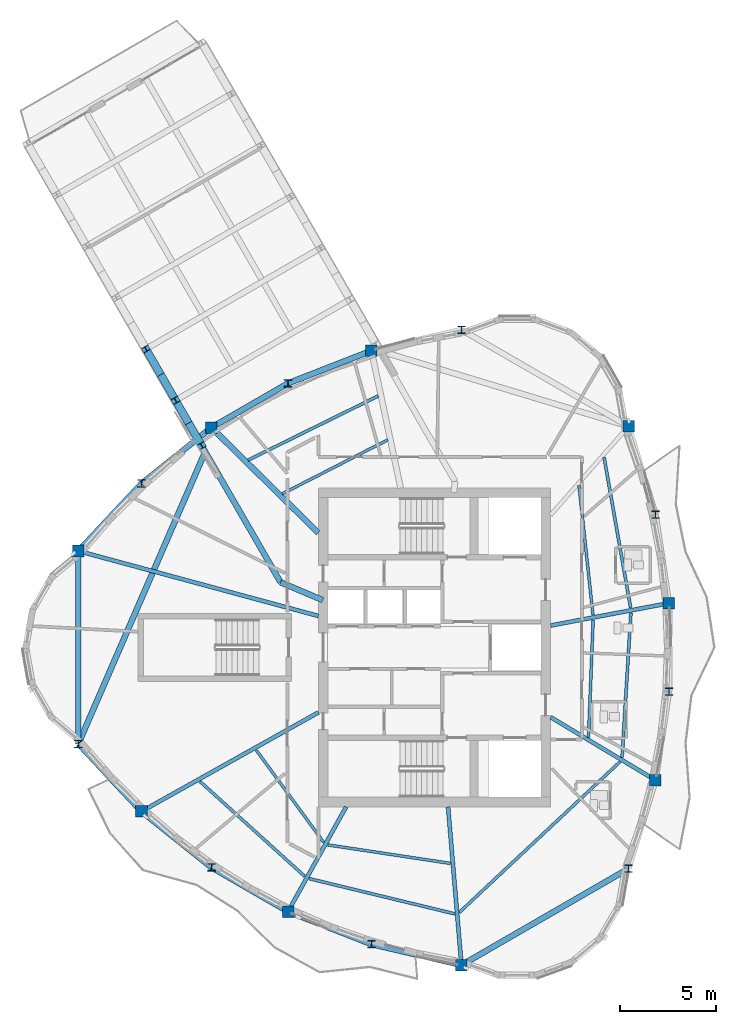
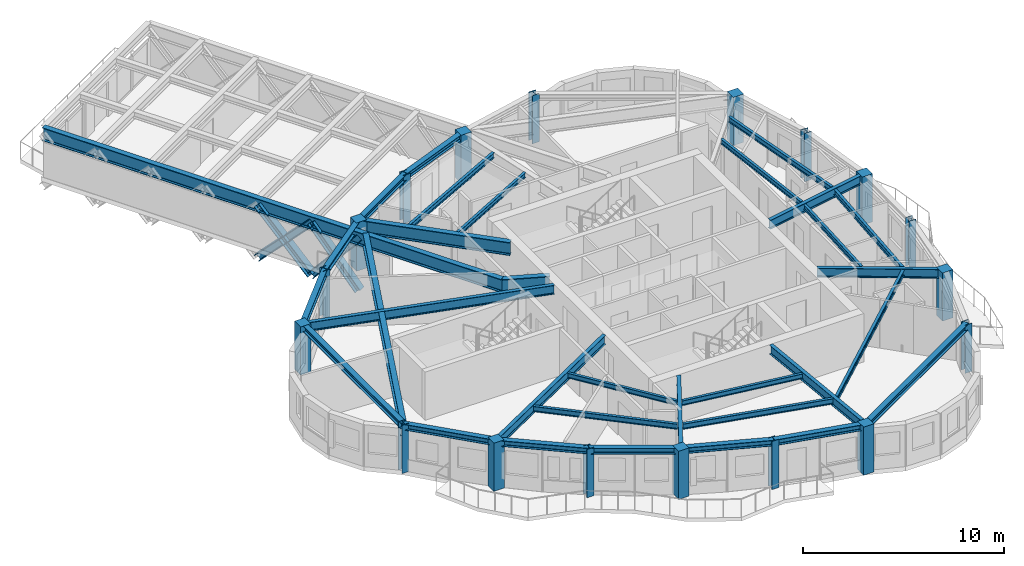
# One storey, part 1 of 14: 32 beams, 18 columns, 4 members.
"""IFC4 building model written with IfcOpenShell, lengths in metres."""

from ifc_helpers import new_model, si_unit, direction, frame, origin, origin_2d, place, context, subcontext, project, spatial, rectangle, i_section, extrude, source, transform, mapped, material, material_profile, profile_set, type_object, element, save


model = new_model("IFC4")

# Units and contexts
model_context = context("Model", 3, precision=1e-05, world=origin(), true_north=direction((0.0, 1.0)))
body_context = subcontext(model_context, "Body", "Model", "MODEL_VIEW")
ifc_project = project(units=[si_unit("LENGTHUNIT", "METRE"), si_unit("AREAUNIT", "SQUARE_METRE"), si_unit("VOLUMEUNIT", "CUBIC_METRE"), si_unit("PLANEANGLEUNIT", "RADIAN"), si_unit("MASSUNIT", "GRAM", prefix="KILO")], contexts=[model_context])

# Site, building, storey
site_placement = place(None, origin())
site = spatial("IfcSite", under=ifc_project, at=site_placement, CompositionType="ELEMENT")
building_placement = place(site_placement, origin())
building = spatial("IfcBuilding", under=site, at=building_placement, Name="Qafzar Sky-Pleat Residences", CompositionType="ELEMENT")
storey_placement = place(building_placement, frame((0.0, 0.0, 208.39990234375)))
storey = spatial("IfcBuildingStorey", under=building, at=storey_placement, Name="L62", CompositionType="ELEMENT", Elevation=208.39990234375)

# Columns
ifc_material_1 = material(Name="Concrete C50/60", Category="concrete")
ifc_material_profile_1 = material_profile(ifc_material_1, rectangle(XDim=0.60009765625, YDim=0.60009765625, at=origin_2d()), Name="RC 600x600")
ifc_profile_set_1 = profile_set([ifc_material_profile_1], Name="Concrete C50/60")
column_type_1 = type_object("IfcColumnType", Name="COL-RC-600", PredefinedType="COLUMN", material=ifc_profile_set_1)
shared_shape_1 = source(origin(), body_context, "Body", "SweptSolid", [
    extrude(rectangle(XDim=0.60009765625, YDim=0.60009765625, at=origin_2d()), origin(), (0.0, 0.0, 1.0), 2.93505859375),
])
for number, where, z_axis, x_axis, name in (
    (1, (11.794921875, 31.02294921875, 0.0), (0.0, 0.0, 1.0), (1.0, 0.0, 0.0), "L62 Perimeter Mega Column 1"),
    (2, (15.0859375, 17.458984375, 0.0), (0.0, 0.0, 1.0), (1.0, 0.0, 0.0), "L62 Perimeter Mega Column 3"),
    (3, (22.71875, 12.243408203125, 0.0), (0.0, 0.0, 1.0), (1.0, 0.0, 0.0), "L62 Perimeter Mega Column 5"),
    (4, (31.75244140625, 9.45458984375, 0.0), (0.0, 0.0, 1.0), (1.0, 0.0, 0.0), "L62 Perimeter Mega Column 7"),
    (5, (41.853515625, 19.08642578125, 0.0), (0.0, 0.0, 1.0), (1.0, 0.0, 0.0), "L62 Perimeter Mega Column 9"),
    (6, (42.55419921875, 28.304443359375, 0.0), (0.0, 0.0, 1.0), (1.0, 0.0, 0.0), "L62 Perimeter Mega Column 11"),
    (7, (40.452392578125, 37.5224609375, 0.0), (0.0, 0.0, 1.0), (1.0, 0.0, 0.0), "L62 Perimeter Mega Column 13"),
    (8, (27.060302734375, 41.454345703125, 0.0), (0.0, 0.0, 1.0), (1.0, 0.0, 0.0), "L62 Perimeter Mega Column 15"),
    (9, (18.727294921875, 37.4521484375, 0.0), (0.0, 0.0, 1.0), (1.0, 0.0, 0.0), "L62 Perimeter Mega Column 17"),
):
    element("IfcColumn", number, at=place(storey_placement, frame(where, z_axis=z_axis, x_axis=x_axis)), inside=storey, type_object=column_type_1, Name=name, PredefinedType="COLUMN", context=body_context, shape_type="MappedRepresentation", body=[
        mapped(shared_shape_1, transform((0.0, 0.0, 0.0), x_axis=(1.0, 0.0, 0.0), y_axis=(0.0, 1.0, 0.0), z_axis=(0.0, 0.0, 1.0), scale=1.0)),
    ])
ifc_material_2 = material(Name="Steel S355", Category="steel")
ifc_material_profile_2 = material_profile(ifc_material_2, i_section(OverallWidth=0.39794921875, OverallDepth=0.386962890625, WebThickness=0.01904296875, FlangeThickness=0.030029296875, FilletRadius=0.014892578125, at=origin_2d()), Name="HD 400x262")
ifc_profile_set_2 = profile_set([ifc_material_profile_2], Name="Steel S355")
column_type_2 = type_object("IfcColumnType", Name="COL-STL-HD262", PredefinedType="PILASTER", material=ifc_profile_set_2)
shared_shape_2 = source(origin(), body_context, "Body", "SweptSolid", [
    extrude(i_section(OverallWidth=0.39794921875, OverallDepth=0.386962890625, WebThickness=0.01904296875, FlangeThickness=0.030029296875, FilletRadius=0.014892578125, at=origin_2d()), origin(), (0.0, 0.0, 1.0), 2.93505859375),
])
for number, where, z_axis, x_axis, name in (
    (10, (11.794921875, 20.97705078125, 0.0), (0.0, 0.0, 1.0), (1.0, 0.0, 0.0), "L62 Perimeter Mega Column 2"),
    (11, (18.727294921875, 14.5478515625, 0.0), (0.0, 0.0, 1.0), (1.0, 0.0, 0.0), "L62 Perimeter Mega Column 4"),
    (12, (27.060302734375, 10.545654296875, 0.0), (0.0, 0.0, 1.0), (1.0, 0.0, 0.0), "L62 Perimeter Mega Column 6"),
    (13, (40.452392578125, 14.4775390625, 0.0), (0.0, 0.0, 1.0), (1.0, 0.0, 0.0), "L62 Perimeter Mega Column 8"),
    (14, (42.55419921875, 23.695556640625, 0.0), (0.0, 0.0, 1.0), (1.0, 0.0, 0.0), "L62 Perimeter Mega Column 10"),
    (15, (41.853515625, 32.91357421875, 0.0), (0.0, 0.0, 1.0), (1.0, 0.0, 0.0), "L62 Perimeter Mega Column 12"),
    (16, (31.75244140625, 42.54541015625, 0.0), (0.0, 0.0, 1.0), (1.0, 0.0, 0.0), "L62 Perimeter Mega Column 14"),
    (17, (22.71875, 39.756591796875, 0.0), (0.0, 0.0, 1.0), (1.0, 0.0, 0.0), "L62 Perimeter Mega Column 16"),
    (18, (15.0859375, 34.541015625, 0.0), (0.0, 0.0, 1.0), (1.0, 0.0, 0.0), "L62 Perimeter Mega Column 18"),
):
    element("IfcColumn", number, at=place(storey_placement, frame(where, z_axis=z_axis, x_axis=x_axis)), inside=storey, type_object=column_type_2, Name=name, PredefinedType="PILASTER", context=body_context, shape_type="MappedRepresentation", body=[
        mapped(shared_shape_2, transform((0.0, 0.0, 0.0), x_axis=(1.0, 0.0, 0.0), y_axis=(0.0, 1.0, 0.0), z_axis=(0.0, 0.0, 1.0), scale=1.0)),
    ])

# Beams
ifc_material_profile_3 = material_profile(ifc_material_2, i_section(OverallWidth=0.300048828125, OverallDepth=0.360107421875, WebThickness=0.012451171875, FlangeThickness=0.0224609375, FilletRadius=0.027099609375, at=origin_2d()), Name="HEB 360")
ifc_profile_set_3 = profile_set([ifc_material_profile_3], Name="Steel S355")
beam_type_1 = type_object("IfcBeamType", Name="BM-SPAN-HEB360", PredefinedType="SPANDREL", material=ifc_profile_set_3)
shared_shape_3 = source(origin(), body_context, "Body", "SweptSolid", [
    extrude(i_section(OverallWidth=0.300048828125, OverallDepth=0.360107421875, WebThickness=0.012451171875, FlangeThickness=0.0224609375, FilletRadius=0.027099609375, at=origin_2d()), origin(), (0.0, 0.0, 1.0), 10.0458984375),
])
for number, where, z_axis, x_axis, name in (
    (19, (11.794921875, 31.02294921875, 2.753173828125), (0.0, -1.0, 0.0), (1.0, 0.0, 0.0), "L62 Perimeter Spandrel Beam 1"),
    (20, (31.75244140625, 9.45458984375, 2.753173828125), (0.866024107753, 0.500002244785, 0.0), (-0.500002244785, 0.866024107753, 0.0), "L62 Perimeter Spandrel Beam 7"),
):
    element("IfcBeam", number, at=place(storey_placement, frame(where, z_axis=z_axis, x_axis=x_axis)), inside=storey, type_object=beam_type_1, Name=name, PredefinedType="SPANDREL", context=body_context, shape_type="MappedRepresentation", body=[
        mapped(shared_shape_3, transform((0.0, 0.0, 0.0), x_axis=(1.0, 0.0, 0.0), y_axis=(0.0, 1.0, 0.0), z_axis=(0.0, 0.0, 1.0), scale=1.0)),
    ])
shared_shape_4 = source(origin(), body_context, "Body", "SweptSolid", [
    extrude(i_section(OverallWidth=0.300048828125, OverallDepth=0.360107421875, WebThickness=0.012451171875, FlangeThickness=0.0224609375, FilletRadius=0.027099609375, at=origin_2d()), origin(), (0.0, 0.0, 1.0), 4.8173828125),
])
for number, where, z_axis, x_axis, name in (
    (21, (11.794921875, 20.97705078125, 2.753173828125), (0.683148410422, -0.730279569301, 0.0), (0.730279569301, 0.683148410422, 0.0), "L62 Perimeter Spandrel Beam 2"),
    (22, (27.060302734375, 10.545654296875, 2.753173828125), (0.974014007378, -0.226487777666, 0.0), (0.226487777666, 0.974014007378, 0.0), "L62 Perimeter Spandrel Beam 6"),
    (23, (15.0859375, 34.541015625, 2.753173828125), (-0.683148410422, -0.730279569301, 0.0), (0.730279569301, -0.683148410422, 0.0), "L62 Perimeter Spandrel Beam 18"),
):
    element("IfcBeam", number, at=place(storey_placement, frame(where, z_axis=z_axis, x_axis=x_axis)), inside=storey, type_object=beam_type_1, Name=name, PredefinedType="SPANDREL", context=body_context, shape_type="MappedRepresentation", body=[
        mapped(shared_shape_4, transform((0.0, 0.0, 0.0), x_axis=(1.0, 0.0, 0.0), y_axis=(0.0, 1.0, 0.0), z_axis=(0.0, 0.0, 1.0), scale=1.0)),
    ])
shared_shape_5 = source(origin(), body_context, "Body", "SweptSolid", [
    extrude(i_section(OverallWidth=0.300048828125, OverallDepth=0.360107421875, WebThickness=0.012451171875, FlangeThickness=0.0224609375, FilletRadius=0.027099609375, at=origin_2d()), origin(), (0.0, 0.0, 1.0), 4.662109375),
])
for number, where, z_axis, x_axis, name in (
    (24, (15.0859375, 17.458984375, 2.753173828125), (0.781073131739, -0.624439559025, 0.0), (0.624439559025, 0.781073131739, 0.0), "L62 Perimeter Spandrel Beam 3"),
    (25, (18.727294921875, 37.4521484375, 2.753173828125), (-0.781073131739, -0.624439559025, 0.0), (0.624439559025, -0.781073131739, 0.0), "L62 Perimeter Spandrel Beam 17"),
):
    element("IfcBeam", number, at=place(storey_placement, frame(where, z_axis=z_axis, x_axis=x_axis)), inside=storey, type_object=beam_type_1, Name=name, PredefinedType="SPANDREL", context=body_context, shape_type="MappedRepresentation", body=[
        mapped(shared_shape_5, transform((0.0, 0.0, 0.0), x_axis=(1.0, 0.0, 0.0), y_axis=(0.0, 1.0, 0.0), z_axis=(0.0, 0.0, 1.0), scale=1.0)),
    ])
shared_shape_6 = source(origin(), body_context, "Body", "SweptSolid", [
    extrude(i_section(OverallWidth=0.300048828125, OverallDepth=0.360107421875, WebThickness=0.012451171875, FlangeThickness=0.0224609375, FilletRadius=0.027099609375, at=origin_2d()), origin(), (0.0, 0.0, 1.0), 4.60888671875),
])
for number, where, z_axis, x_axis, name in (
    (26, (18.727294921875, 14.5478515625, 2.753173828125), (0.8660276872, -0.499996044987, 0.0), (0.499996044987, 0.8660276872, 0.0), "L62 Perimeter Spandrel Beam 4"),
    (27, (22.71875, 39.756591796875, 2.753173828125), (-0.8660276872, -0.499996044987, 0.0), (0.499996044987, -0.8660276872, 0.0), "L62 Perimeter Spandrel Beam 16"),
):
    element("IfcBeam", number, at=place(storey_placement, frame(where, z_axis=z_axis, x_axis=x_axis)), inside=storey, type_object=beam_type_1, Name=name, PredefinedType="SPANDREL", context=body_context, shape_type="MappedRepresentation", body=[
        mapped(shared_shape_6, transform((0.0, 0.0, 0.0), x_axis=(1.0, 0.0, 0.0), y_axis=(0.0, 1.0, 0.0), z_axis=(0.0, 0.0, 1.0), scale=1.0)),
    ])
shared_shape_7 = source(origin(), body_context, "Body", "SweptSolid", [
    extrude(i_section(OverallWidth=0.300048828125, OverallDepth=0.360107421875, WebThickness=0.012451171875, FlangeThickness=0.0224609375, FilletRadius=0.027099609375, at=origin_2d()), origin(), (0.0, 0.0, 1.0), 4.66162109375),
])
for number, where, z_axis, x_axis, name in (
    (28, (22.71875, 12.243408203125, 2.753173828125), (0.931323889652, -0.364191999586, 0.0), (0.364191999586, 0.931323889652, 0.0), "L62 Perimeter Spandrel Beam 5"),
    (29, (27.060302734375, 41.454345703125, 2.753173828125), (-0.931323889652, -0.364191999586, 0.0), (0.364191999586, -0.931323889652, 0.0), "L62 Perimeter Spandrel Beam 15"),
):
    element("IfcBeam", number, at=place(storey_placement, frame(where, z_axis=z_axis, x_axis=x_axis)), inside=storey, type_object=beam_type_1, Name=name, PredefinedType="SPANDREL", context=body_context, shape_type="MappedRepresentation", body=[
        mapped(shared_shape_7, transform((0.0, 0.0, 0.0), x_axis=(1.0, 0.0, 0.0), y_axis=(0.0, 1.0, 0.0), z_axis=(0.0, 0.0, 1.0), scale=1.0)),
    ])
ifc_material_profile_4 = material_profile(ifc_material_2, i_section(OverallWidth=0.2099609375, OverallDepth=0.550048828125, WebThickness=0.010986328125, FlangeThickness=0.01708984375, FilletRadius=0.02392578125, at=origin_2d()), Name="IPE 550")
ifc_profile_set_4 = profile_set([ifc_material_profile_4], Name="Steel S355")
beam_type_2 = type_object("IfcBeamType", Name="BM-SEC-IPE550", PredefinedType="BEAM", material=ifc_profile_set_4)
shared_shape_8 = source(origin(), body_context, "Body", "SweptSolid", [
    extrude(i_section(OverallWidth=0.2099609375, OverallDepth=0.550048828125, WebThickness=0.010986328125, FlangeThickness=0.01708984375, FilletRadius=0.02392578125, at=origin_2d()), origin(), (0.0, 0.0, 1.0), 12.955322265625),
])
beam_1_placement = place(storey_placement, frame((11.794921875, 31.02294921875, 2.658203125), z_axis=(0.96525657986, -0.261303913167, 0.0), x_axis=(0.261303913167, 0.96525657986, 0.0)))
element("IfcBeam", 30, at=beam_1_placement, inside=storey, type_object=beam_type_2, Name="L62 Radial Floor Girder 1", PredefinedType="BEAM", context=body_context, shape_type="MappedRepresentation", body=[
    mapped(shared_shape_8, transform((0.0, 0.0, 0.0), x_axis=(1.0, 0.0, 0.0), y_axis=(0.0, 1.0, 0.0), z_axis=(0.0, 0.0, 1.0), scale=1.0)),
])
shared_shape_9 = source(origin(), body_context, "Body", "SweptSolid", [
    extrude(i_section(OverallWidth=0.2099609375, OverallDepth=0.550048828125, WebThickness=0.010986328125, FlangeThickness=0.01708984375, FilletRadius=0.02392578125, at=origin_2d()), origin(), (0.0, 0.0, 1.0), 10.55859375),
])
beam_2_placement = place(storey_placement, frame((15.0859375, 17.458984375, 2.658203125), z_axis=(0.872673146655, 0.488304801438, 0.0), x_axis=(-0.488304801438, 0.872673146655, 0.0)))
element("IfcBeam", 31, at=beam_2_placement, inside=storey, type_object=beam_type_2, Name="L62 Radial Floor Girder 3", PredefinedType="BEAM", context=body_context, shape_type="MappedRepresentation", body=[
    mapped(shared_shape_9, transform((0.0, 0.0, 0.0), x_axis=(1.0, 0.0, 0.0), y_axis=(0.0, 1.0, 0.0), z_axis=(0.0, 0.0, 1.0), scale=1.0)),
])
shared_shape_10 = source(origin(), body_context, "Body", "SweptSolid", [
    extrude(i_section(OverallWidth=0.2099609375, OverallDepth=0.550048828125, WebThickness=0.010986328125, FlangeThickness=0.01708984375, FilletRadius=0.02392578125, at=origin_2d()), origin(), (0.0, 0.0, 1.0), 6.23974609375),
])
beam_3_placement = place(storey_placement, frame((22.71875, 12.243408203125, 2.658203125), z_axis=(0.48508473236, 0.874467153432, 0.0), x_axis=(-0.874467153432, 0.48508473236, 0.0)))
element("IfcBeam", 32, at=beam_3_placement, inside=storey, type_object=beam_type_2, Name="L62 Radial Floor Girder 5", PredefinedType="BEAM", context=body_context, shape_type="MappedRepresentation", body=[
    mapped(shared_shape_10, transform((0.0, 0.0, 0.0), x_axis=(1.0, 0.0, 0.0), y_axis=(0.0, 1.0, 0.0), z_axis=(0.0, 0.0, 1.0), scale=1.0)),
])
shared_shape_11 = source(origin(), body_context, "Body", "SweptSolid", [
    extrude(i_section(OverallWidth=0.2099609375, OverallDepth=0.550048828125, WebThickness=0.010986328125, FlangeThickness=0.01708984375, FilletRadius=0.02392578125, at=origin_2d()), origin(), (0.0, 0.0, 1.0), 8.27490234375),
])
beam_4_placement = place(storey_placement, frame((31.75244140625, 9.45458984375, 2.658203125), z_axis=(-0.084439601207, 0.996428599423, 0.0), x_axis=(-0.996428599423, -0.084439601207, 0.0)))
element("IfcBeam", 33, at=beam_4_placement, inside=storey, type_object=beam_type_2, Name="L62 Radial Floor Girder 7", PredefinedType="BEAM", context=body_context, shape_type="MappedRepresentation", body=[
    mapped(shared_shape_11, transform((0.0, 0.0, 0.0), x_axis=(1.0, 0.0, 0.0), y_axis=(0.0, 1.0, 0.0), z_axis=(0.0, 0.0, 1.0), scale=1.0)),
])
shared_shape_12 = source(origin(), body_context, "Body", "SweptSolid", [
    extrude(i_section(OverallWidth=0.2099609375, OverallDepth=0.550048828125, WebThickness=0.010986328125, FlangeThickness=0.01708984375, FilletRadius=0.02392578125, at=origin_2d()), origin(), (0.0, 0.0, 1.0), 6.36279296875),
])
beam_5_placement = place(storey_placement, frame((41.853515625, 19.08642578125, 2.658203125), z_axis=(-0.857116893235, 0.515121957726, 0.0), x_axis=(-0.515121957726, -0.857116893235, 0.0)))
element("IfcBeam", 34, at=beam_5_placement, inside=storey, type_object=beam_type_2, Name="L62 Radial Floor Girder 9", PredefinedType="BEAM", context=body_context, shape_type="MappedRepresentation", body=[
    mapped(shared_shape_12, transform((0.0, 0.0, 0.0), x_axis=(1.0, 0.0, 0.0), y_axis=(0.0, 1.0, 0.0), z_axis=(0.0, 0.0, 1.0), scale=1.0)),
])
shared_shape_13 = source(origin(), body_context, "Body", "SweptSolid", [
    extrude(i_section(OverallWidth=0.2099609375, OverallDepth=0.550048828125, WebThickness=0.010986328125, FlangeThickness=0.01708984375, FilletRadius=0.02392578125, at=origin_2d()), origin(), (0.0, 0.0, 1.0), 6.262939453125),
])
beam_6_placement = place(storey_placement, frame((42.55419921875, 28.304443359375, 2.658203125), z_axis=(-0.982634843159, -0.185549898978, 0.0), x_axis=(0.185549898978, -0.982634843159, 0.0)))
element("IfcBeam", 35, at=beam_6_placement, inside=storey, type_object=beam_type_2, Name="L62 Radial Floor Girder 11", PredefinedType="BEAM", context=body_context, shape_type="MappedRepresentation", body=[
    mapped(shared_shape_13, transform((0.0, 0.0, 0.0), x_axis=(1.0, 0.0, 0.0), y_axis=(0.0, 1.0, 0.0), z_axis=(0.0, 0.0, 1.0), scale=1.0)),
])
ifc_material_3 = material(Name="Steel S460", Category="steel")
ifc_material_profile_5 = material_profile(ifc_material_3, i_section(OverallWidth=0.300048828125, OverallDepth=0.800048828125, WebThickness=0.017578125, FlangeThickness=0.032958984375, FilletRadius=0.030029296875, at=origin_2d()), Name="HEB 800")
ifc_profile_set_5 = profile_set([ifc_material_profile_5], Name="Steel S460")
beam_type_3 = type_object("IfcBeamType", Name="BM-CHORD-HEB800", PredefinedType="BEAM", material=ifc_profile_set_5)
shared_shape_14 = source(origin(), body_context, "Body", "SweptSolid", [
    extrude(i_section(OverallWidth=0.300048828125, OverallDepth=0.800048828125, WebThickness=0.017578125, FlangeThickness=0.032958984375, FilletRadius=0.030029296875, at=origin_2d()), origin(), (0.0, 0.0, 1.0), 7.823486328125),
])
beam_7_placement = place(storey_placement, frame((18.727294921875, 37.4521484375, 2.533203125), z_axis=(0.71231451295, -0.701860409654, 0.0), x_axis=(0.701860409654, 0.71231451295, 0.0)))
element("IfcBeam", 36, at=beam_7_placement, inside=storey, type_object=beam_type_3, Name="L62 Radial Floor Girder 17", PredefinedType="BEAM", context=body_context, shape_type="MappedRepresentation", body=[
    mapped(shared_shape_14, transform((0.0, 0.0, 0.0), x_axis=(1.0, 0.0, 0.0), y_axis=(0.0, 1.0, 0.0), z_axis=(0.0, 0.0, 1.0), scale=1.0)),
])
ifc_material_profile_6 = material_profile(ifc_material_2, i_section(OverallWidth=0.159912109375, OverallDepth=0.330078125, WebThickness=0.007568359375, FlangeThickness=0.011474609375, FilletRadius=0.01806640625, at=origin_2d()), Name="IPE 330")
ifc_profile_set_6 = profile_set([ifc_material_profile_6], Name="Steel S355")
beam_type_4 = type_object("IfcBeamType", Name="BM-JST-IPE330", PredefinedType="JOIST", material=ifc_profile_set_6)
shared_shape_15 = source(origin(), body_context, "Body", "SweptSolid", [
    extrude(i_section(OverallWidth=0.159912109375, OverallDepth=0.330078125, WebThickness=0.007568359375, FlangeThickness=0.011474609375, FilletRadius=0.01806640625, at=origin_2d()), origin(), (0.0, 0.0, 1.0), 7.356689453125),
])
beam_8_placement = place(storey_placement, frame((18.134521484375, 19.018310546875, 2.76806640625), z_axis=(0.741219639236, -0.671262576352, 0.0), x_axis=(0.671262576352, 0.741219639236, 0.0)))
element("IfcBeam", 37, at=beam_8_placement, inside=storey, type_object=beam_type_4, Name="L62 Outer Secondary Floor Joist 2", PredefinedType="JOIST", context=body_context, shape_type="MappedRepresentation", body=[
    mapped(shared_shape_15, transform((0.0, 0.0, 0.0), x_axis=(1.0, 0.0, 0.0), y_axis=(0.0, 1.0, 0.0), z_axis=(0.0, 0.0, 1.0), scale=1.0)),
])
shared_shape_16 = source(origin(), body_context, "Body", "SweptSolid", [
    extrude(i_section(OverallWidth=0.159912109375, OverallDepth=0.330078125, WebThickness=0.007568359375, FlangeThickness=0.011474609375, FilletRadius=0.01806640625, at=origin_2d()), origin(), (0.0, 0.0, 1.0), 7.797607421875),
])
beam_9_placement = place(storey_placement, frame((23.818603515625, 13.957763671875, 2.76806640625), z_axis=(0.971984853244, -0.235043496112, 0.0), x_axis=(0.235043496112, 0.971984853244, 0.0)))
element("IfcBeam", 38, at=beam_9_placement, inside=storey, type_object=beam_type_4, Name="L62 Outer Secondary Floor Joist 3", PredefinedType="JOIST", context=body_context, shape_type="MappedRepresentation", body=[
    mapped(shared_shape_16, transform((0.0, 0.0, 0.0), x_axis=(1.0, 0.0, 0.0), y_axis=(0.0, 1.0, 0.0), z_axis=(0.0, 0.0, 1.0), scale=1.0)),
])
shared_shape_17 = source(origin(), body_context, "Body", "SweptSolid", [
    extrude(i_section(OverallWidth=0.159912109375, OverallDepth=0.330078125, WebThickness=0.007568359375, FlangeThickness=0.011474609375, FilletRadius=0.01806640625, at=origin_2d()), origin(), (0.0, 0.0, 1.0), 11.489501953125),
])
beam_10_placement = place(storey_placement, frame((31.627197265625, 12.185546875, 2.76806640625), z_axis=(0.729600815032, 0.683873270939, 0.0), x_axis=(-0.683873270939, 0.729600815032, 0.0)))
element("IfcBeam", 39, at=beam_10_placement, inside=storey, type_object=beam_type_4, Name="L62 Outer Secondary Floor Joist 4", PredefinedType="JOIST", context=body_context, shape_type="MappedRepresentation", body=[
    mapped(shared_shape_17, transform((0.0, 0.0, 0.0), x_axis=(1.0, 0.0, 0.0), y_axis=(0.0, 1.0, 0.0), z_axis=(0.0, 0.0, 1.0), scale=1.0)),
])
shared_shape_18 = source(origin(), body_context, "Body", "SweptSolid", [
    extrude(i_section(OverallWidth=0.159912109375, OverallDepth=0.330078125, WebThickness=0.007568359375, FlangeThickness=0.011474609375, FilletRadius=0.01806640625, at=origin_2d()), origin(), (0.0, 0.0, 1.0), 7.5419921875),
])
beam_11_placement = place(storey_placement, frame((40.11669921875, 20.27001953125, 2.76806640625), z_axis=(0.060987642663, 0.998138521169, 0.0), x_axis=(-0.998138521169, 0.060987642663, 0.0)))
element("IfcBeam", 40, at=beam_11_placement, inside=storey, type_object=beam_type_4, Name="L62 Outer Secondary Floor Joist 5", PredefinedType="JOIST", context=body_context, shape_type="MappedRepresentation", body=[
    mapped(shared_shape_18, transform((0.0, 0.0, 0.0), x_axis=(1.0, 0.0, 0.0), y_axis=(0.0, 1.0, 0.0), z_axis=(0.0, 0.0, 1.0), scale=1.0)),
])
shared_shape_19 = source(origin(), body_context, "Body", "SweptSolid", [
    extrude(i_section(OverallWidth=0.159912109375, OverallDepth=0.330078125, WebThickness=0.007568359375, FlangeThickness=0.011474609375, FilletRadius=0.01806640625, at=origin_2d()), origin(), (0.0, 0.0, 1.0), 7.965576171875),
])
beam_12_placement = place(storey_placement, frame((40.561279296875, 28.065673828125, 2.76806640625), z_axis=(-0.173507320817, 0.984832579489, 0.0), x_axis=(-0.984832579489, -0.173507320817, 0.0)))
element("IfcBeam", 41, at=beam_12_placement, inside=storey, type_object=beam_type_4, Name="L62 Outer Secondary Floor Joist 6", PredefinedType="JOIST", context=body_context, shape_type="MappedRepresentation", body=[
    mapped(shared_shape_19, transform((0.0, 0.0, 0.0), x_axis=(1.0, 0.0, 0.0), y_axis=(0.0, 1.0, 0.0), z_axis=(0.0, 0.0, 1.0), scale=1.0)),
])
shared_shape_20 = source(origin(), body_context, "Body", "SweptSolid", [
    extrude(i_section(OverallWidth=0.159912109375, OverallDepth=0.330078125, WebThickness=0.007568359375, FlangeThickness=0.011474609375, FilletRadius=0.01806640625, at=origin_2d()), origin(), (0.0, 0.0, 1.0), 7.576171875),
])
beam_13_placement = place(storey_placement, frame((27.426513671875, 39.105224609375, 2.76806640625), z_axis=(-0.896888380861, -0.442256975386, 0.0), x_axis=(0.442256975386, -0.896888380861, 0.0)))
element("IfcBeam", 42, at=beam_13_placement, inside=storey, type_object=beam_type_4, Name="L62 Outer Secondary Floor Joist 8", PredefinedType="JOIST", context=body_context, shape_type="MappedRepresentation", body=[
    mapped(shared_shape_20, transform((0.0, 0.0, 0.0), x_axis=(1.0, 0.0, 0.0), y_axis=(0.0, 1.0, 0.0), z_axis=(0.0, 0.0, 1.0), scale=1.0)),
])
ifc_material_profile_7 = material_profile(ifc_material_2, i_section(OverallWidth=0.14990234375, OverallDepth=0.300048828125, WebThickness=0.007080078125, FlangeThickness=0.0107421875, FilletRadius=0.014892578125, at=origin_2d()), Name="IPE 300")
ifc_profile_set_7 = profile_set([ifc_material_profile_7], Name="Steel S355")
beam_type_5 = type_object("IfcBeamType", Name="BM-JST-IPE300", PredefinedType="JOIST", material=ifc_profile_set_7)
shared_shape_21 = source(origin(), body_context, "Body", "SweptSolid", [
    extrude(i_section(OverallWidth=0.14990234375, OverallDepth=0.300048828125, WebThickness=0.007080078125, FlangeThickness=0.0107421875, FilletRadius=0.014892578125, at=origin_2d()), origin(), (0.0, 0.0, 1.0), 5.953125),
])
beam_14_placement = place(storey_placement, frame((21.0625, 20.64990234375, 2.783203125), z_axis=(0.590264364732, -0.807209997292, 0.0), x_axis=(0.807209997292, 0.590264364732, 0.0)))
element("IfcBeam", 43, at=beam_14_placement, inside=storey, type_object=beam_type_5, Name="L62 Inner Secondary Floor Joist 2", PredefinedType="JOIST", context=body_context, shape_type="MappedRepresentation", body=[
    mapped(shared_shape_21, transform((0.0, 0.0, 0.0), x_axis=(1.0, 0.0, 0.0), y_axis=(0.0, 1.0, 0.0), z_axis=(0.0, 0.0, 1.0), scale=1.0)),
])
shared_shape_22 = source(origin(), body_context, "Body", "SweptSolid", [
    extrude(i_section(OverallWidth=0.14990234375, OverallDepth=0.300048828125, WebThickness=0.007080078125, FlangeThickness=0.0107421875, FilletRadius=0.014892578125, at=origin_2d()), origin(), (0.0, 0.0, 1.0), 6.454345703125),
])
beam_15_placement = place(storey_placement, frame((24.78955078125, 15.715576171875, 2.783203125), z_axis=(0.988786865578, -0.149333634723, 0.0), x_axis=(0.149333634723, 0.988786865578, 0.0)))
element("IfcBeam", 44, at=beam_15_placement, inside=storey, type_object=beam_type_5, Name="L62 Inner Secondary Floor Joist 3", PredefinedType="JOIST", context=body_context, shape_type="MappedRepresentation", body=[
    mapped(shared_shape_22, transform((0.0, 0.0, 0.0), x_axis=(1.0, 0.0, 0.0), y_axis=(0.0, 1.0, 0.0), z_axis=(0.0, 0.0, 1.0), scale=1.0)),
])
shared_shape_23 = source(origin(), body_context, "Body", "SweptSolid", [
    extrude(i_section(OverallWidth=0.14990234375, OverallDepth=0.300048828125, WebThickness=0.007080078125, FlangeThickness=0.0107421875, FilletRadius=0.014892578125, at=origin_2d()), origin(), (0.0, 0.0, 1.0), 6.111572265625),
])
beam_16_placement = place(storey_placement, frame((38.36865234375, 21.319091796875, 2.783203125), z_axis=(0.039508568351, 0.999219231714, 0.0), x_axis=(-0.999219231714, 0.039508568351, 0.0)))
element("IfcBeam", 45, at=beam_16_placement, inside=storey, type_object=beam_type_5, Name="L62 Inner Secondary Floor Joist 5", PredefinedType="JOIST", context=body_context, shape_type="MappedRepresentation", body=[
    mapped(shared_shape_23, transform((0.0, 0.0, 0.0), x_axis=(1.0, 0.0, 0.0), y_axis=(0.0, 1.0, 0.0), z_axis=(0.0, 0.0, 1.0), scale=1.0)),
])
shared_shape_24 = source(origin(), body_context, "Body", "SweptSolid", [
    extrude(i_section(OverallWidth=0.14990234375, OverallDepth=0.300048828125, WebThickness=0.007080078125, FlangeThickness=0.0107421875, FilletRadius=0.014892578125, at=origin_2d()), origin(), (0.0, 0.0, 1.0), 6.7744140625),
])
beam_17_placement = place(storey_placement, frame((38.60107421875, 27.695068359375, 2.783203125), z_axis=(-0.107432741117, 0.994212354649, 0.0), x_axis=(-0.994212354649, -0.107432741117, 0.0)))
element("IfcBeam", 46, at=beam_17_placement, inside=storey, type_object=beam_type_5, Name="L62 Inner Secondary Floor Joist 6", PredefinedType="JOIST", context=body_context, shape_type="MappedRepresentation", body=[
    mapped(shared_shape_24, transform((0.0, 0.0, 0.0), x_axis=(1.0, 0.0, 0.0), y_axis=(0.0, 1.0, 0.0), z_axis=(0.0, 0.0, 1.0), scale=1.0)),
])
shared_shape_25 = source(origin(), body_context, "Body", "SweptSolid", [
    extrude(i_section(OverallWidth=0.14990234375, OverallDepth=0.300048828125, WebThickness=0.007080078125, FlangeThickness=0.0107421875, FilletRadius=0.014892578125, at=origin_2d()), origin(), (0.0, 0.0, 1.0), 6.178955078125),
])
beam_18_placement = place(storey_placement, frame((27.914794921875, 36.814208984375, 2.783203125), z_axis=(-0.890223943617, -0.455523139051, 0.0), x_axis=(0.455523139051, -0.890223943617, 0.0)))
element("IfcBeam", 47, at=beam_18_placement, inside=storey, type_object=beam_type_5, Name="L62 Inner Secondary Floor Joist 8", PredefinedType="JOIST", context=body_context, shape_type="MappedRepresentation", body=[
    mapped(shared_shape_25, transform((0.0, 0.0, 0.0), x_axis=(1.0, 0.0, 0.0), y_axis=(0.0, 1.0, 0.0), z_axis=(0.0, 0.0, 1.0), scale=1.0)),
])
shared_shape_26 = source(origin(), body_context, "Body", "SweptSolid", [
    extrude(i_section(OverallWidth=0.300048828125, OverallDepth=0.800048828125, WebThickness=0.017578125, FlangeThickness=0.032958984375, FilletRadius=0.030029296875, at=origin_2d()), origin(), (0.0, 0.0, 1.0), 2.385009765625),
])
beam_19_placement = place(storey_placement, frame((22.328369140625, 29.393798828125, 2.531005859375), z_axis=(0.920982791403, -0.389603257095, 0.0), x_axis=(0.389603257095, 0.920982791403, 0.0)))
element("IfcBeam", 48, at=beam_19_placement, inside=storey, type_object=beam_type_3, Name="L62 SB-5 Core Back-Span Tie Girder L", PredefinedType="BEAM", context=body_context, shape_type="MappedRepresentation", body=[
    mapped(shared_shape_26, transform((0.0, 0.0, 0.0), x_axis=(1.0, 0.0, 0.0), y_axis=(0.0, 1.0, 0.0), z_axis=(0.0, 0.0, 1.0), scale=1.0)),
])
shared_shape_27 = source(origin(), body_context, "Body", "SweptSolid", [
    extrude(i_section(OverallWidth=0.300048828125, OverallDepth=0.800048828125, WebThickness=0.017578125, FlangeThickness=0.032958984375, FilletRadius=0.030029296875, at=origin_2d()), origin(), (0.0, 0.0, 1.0), 26.399169921875),
])
beam_20_placement = place(storey_placement, frame((22.328369140625, 29.393798828125, 2.533203125), z_axis=(-0.49999730459, 0.866026959975, 0.0), x_axis=(-0.866026959975, -0.49999730459, 0.0)))
element("IfcBeam", 49, at=beam_20_placement, inside=storey, type_object=beam_type_3, Name="L62 SB-5 Truss Chord L1", PredefinedType="BEAM", context=body_context, shape_type="MappedRepresentation", body=[
    mapped(shared_shape_27, transform((0.0, 0.0, 0.0), x_axis=(1.0, 0.0, 0.0), y_axis=(0.0, 1.0, 0.0), z_axis=(0.0, 0.0, 1.0), scale=1.0)),
])

# Members
ifc_material_profile_8 = material_profile(ifc_material_3, i_section(OverallWidth=0.40087890625, OverallDepth=0.39892578125, WebThickness=0.02294921875, FlangeThickness=0.035888671875, FilletRadius=0.014892578125, at=origin_2d()), Name="HD 400x314")
ifc_profile_set_8 = profile_set([ifc_material_profile_8], Name="Steel S460")
member_type = type_object("IfcMemberType", Name="MEM-SB-DIAG", PredefinedType="BRACE", material=ifc_profile_set_8)
shared_shape_28 = source(origin(), body_context, "Body", "SweptSolid", [
    extrude(i_section(OverallWidth=0.40087890625, OverallDepth=0.39892578125, WebThickness=0.02294921875, FlangeThickness=0.035888671875, FilletRadius=0.014892578125, at=origin_2d()), origin(), (0.0, 0.0, 1.0), 4.207275390625),
])
for number, where, z_axis, x_axis, name in (
    (50, (18.223388671875, 36.50390625, -0.6669921875), (-0.324602692917, 0.562223005304, 0.760617107392), (-0.866023343127, -0.500003569146, 0.0), "L62 SB-5 Truss Web Diagonal L1A"),
    (51, (18.223388671875, 36.50390625, 2.533203125), (-0.324602692917, 0.562223005304, -0.760617107392), (-0.866023343127, -0.500003569146, 0.0), "L62 SB-5 Truss Web Diagonal L1B"),
):
    element("IfcMember", number, at=place(storey_placement, frame(where, z_axis=z_axis, x_axis=x_axis)), inside=storey, type_object=member_type, Name=name, PredefinedType="BRACE", context=body_context, shape_type="MappedRepresentation", body=[
        mapped(shared_shape_28, transform((0.0, 0.0, 0.0), x_axis=(1.0, 0.0, 0.0), y_axis=(0.0, 1.0, 0.0), z_axis=(0.0, 0.0, 1.0), scale=1.0)),
    ])

# Beam
shared_shape_29 = source(origin(), body_context, "Body", "SweptSolid", [
    extrude(i_section(OverallWidth=0.300048828125, OverallDepth=0.800048828125, WebThickness=0.017578125, FlangeThickness=0.032958984375, FilletRadius=0.030029296875, at=origin_2d()), origin(), (0.0, 0.0, 1.0), 16.588134765625),
])
beam_21_placement = place(storey_placement, frame((11.794921875, 20.97705078125, 2.533203125), z_axis=(0.398378427064, 0.917221145008, 0.0), x_axis=(-0.917221145008, 0.398378427064, 0.0)))
element("IfcBeam", 52, at=beam_21_placement, inside=storey, type_object=beam_type_3, Name="L62 SB-5 Wing-Belt Top Chord L", PredefinedType="BEAM", context=body_context, shape_type="MappedRepresentation", body=[
    mapped(shared_shape_29, transform((0.0, 0.0, 0.0), x_axis=(1.0, 0.0, 0.0), y_axis=(0.0, 1.0, 0.0), z_axis=(0.0, 0.0, 1.0), scale=1.0)),
])

# Members
shared_shape_30 = source(origin(), body_context, "Body", "SweptSolid", [
    extrude(i_section(OverallWidth=0.40087890625, OverallDepth=0.39892578125, WebThickness=0.02294921875, FlangeThickness=0.035888671875, FilletRadius=0.014892578125, at=origin_2d()), origin(), (0.0, 0.0, 1.0), 4.44970703125),
])
for number, where, z_axis, x_axis, name in (
    (53, (16.857666015625, 38.869384765625, -0.6669921875), (-0.347366539915, 0.601732560929, 0.719204012826), (-0.866052771896, -0.499952594044, 0.0), "L62 SB-5 Truss Web Diagonal L2A"),
    (54, (16.857666015625, 38.869384765625, 2.533203125), (-0.347366539915, 0.601732560929, -0.719204012826), (-0.866052771896, -0.499952594044, 0.0), "L62 SB-5 Truss Web Diagonal L2B"),
):
    element("IfcMember", number, at=place(storey_placement, frame(where, z_axis=z_axis, x_axis=x_axis)), inside=storey, type_object=member_type, Name=name, PredefinedType="BRACE", context=body_context, shape_type="MappedRepresentation", body=[
        mapped(shared_shape_30, transform((0.0, 0.0, 0.0), x_axis=(1.0, 0.0, 0.0), y_axis=(0.0, 1.0, 0.0), z_axis=(0.0, 0.0, 1.0), scale=1.0)),
    ])

save(model, "model.ifc")
